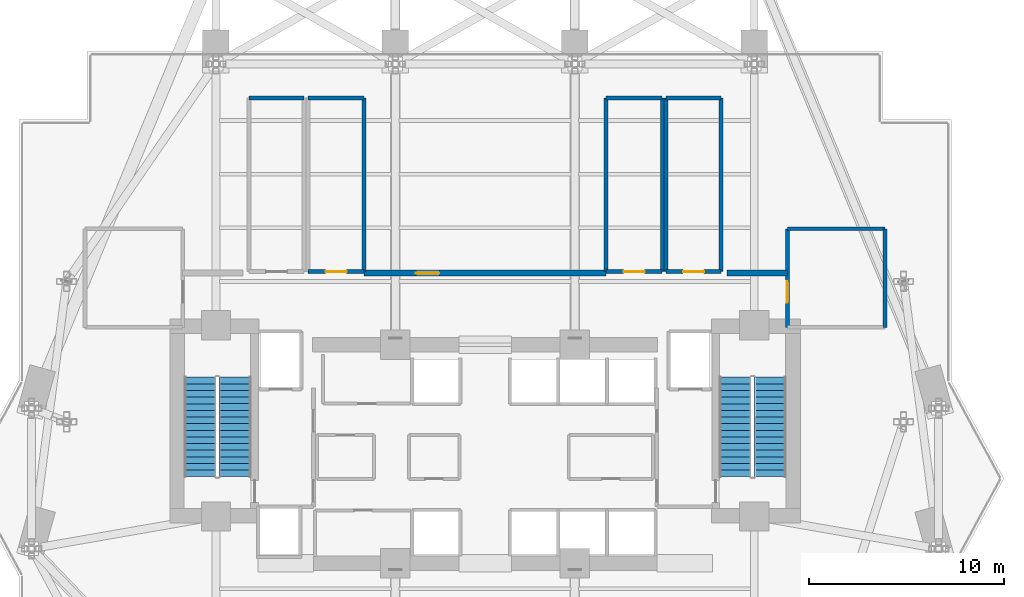
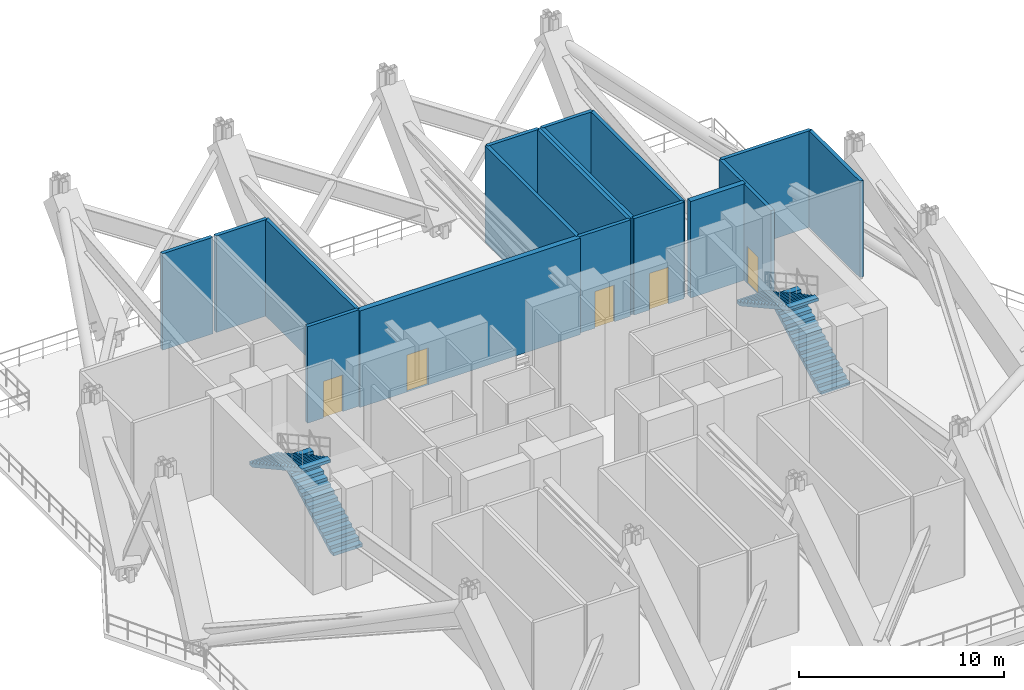
# One storey, part 14 of 18: 17 walls, 5 doors, 4 stair flights, 5 openings, 2 elements without a shape of their own.
"""IFC4 building model written with IfcOpenShell, lengths in metres."""

from ifc_helpers import new_model, si_unit, direction, frame, frame_2d, origin, place, context, subcontext, project, spatial, polyline, rectangle, outline, extrude, material, layer, layer_set, type_object, element, fill, aggregate, save


model = new_model("IFC4")

# Units and contexts
model_context = context("Model", 3, precision=1e-05, world=origin(), true_north=direction((0.0, 1.0)))
body_context = subcontext(model_context, "Body", "Model", "MODEL_VIEW")
ifc_project = project(units=[si_unit("LENGTHUNIT", "METRE"), si_unit("AREAUNIT", "SQUARE_METRE"), si_unit("VOLUMEUNIT", "CUBIC_METRE"), si_unit("PLANEANGLEUNIT", "RADIAN"), si_unit("MASSUNIT", "GRAM", prefix="KILO")], contexts=[model_context])

# Site, building, storey
site_placement = place(None, origin())
site = spatial("IfcSite", under=ifc_project, at=site_placement, CompositionType="ELEMENT")
building_placement = place(site_placement, origin())
building = spatial("IfcBuilding", under=site, at=building_placement, Name="Zuhayl Quay Hotel", CompositionType="ELEMENT")
storey_placement = place(building_placement, frame((0.0, 0.0, 162.199951171875)))
storey = spatial("IfcBuildingStorey", under=building, at=storey_placement, Name="L41", CompositionType="ELEMENT", Elevation=162.199951171875)

# Wall
ifc_material_1 = material(Name="Precast concrete C45/55", Category="concrete")
ifc_layer_1 = layer(ifc_material_1, 0.300048828125, Name="Precast concrete C45/55", Category="concrete")
ifc_layer_set_1 = layer_set([ifc_layer_1], Name="Precast concrete C45/55")
wall_type_1 = type_object("IfcWallType", Name="WL_EXT_300", PredefinedType="STANDARD", material=ifc_layer_set_1)
wall_1_placement = place(storey_placement, frame((12.39990234375, 17.030029296875, 0.0), z_axis=(0.0, 0.0, 1.0), x_axis=(1.0, 0.0, 0.0)))
element("IfcWall", 1, at=wall_1_placement, inside=storey, type_object=wall_type_1, Name="L41 Exterior Precast Wall EW_WIND_NE_L41", PredefinedType="STANDARD", context=body_context, shape_type="SweptSolid", body=[
    extrude(rectangle(XDim=3.10009765625, YDim=0.300048828125, at=frame_2d((1.550048828125, 0.0))), origin(), (0.0, 0.0, 1.0), 5.739990234375),
])

# Wall, opening, door
wall_2_placement = place(storey_placement, frame((-6.199951171875, 17.030029296875, 0.0), z_axis=(0.0, 0.0, 1.0), x_axis=(1.0, 0.0, 0.0)))
wall_2 = element("IfcWall", 2, at=wall_2_placement, inside=storey, type_object=wall_type_1, Name="L41 Exterior Precast Wall EW_WIND_ACC_L41", PredefinedType="STANDARD", context=body_context, shape_type="SweptSolid", body=[
    extrude(rectangle(XDim=12.39990234375, YDim=0.300048828125, at=frame_2d((6.199951171875, 0.0))), origin(), (0.0, 0.0, 1.0), 5.739990234375),
])
opening_1_placement = place(wall_2_placement, frame((2.64990234375, 0.0, 0.0)))
opening_1 = element("IfcOpeningElement", 3, at=opening_1_placement, cuts=wall_2, Name="Opening DE2", PredefinedType="OPENING", context=body_context, shape_type="SweptSolid", body=[
    extrude(rectangle(XDim=1.199951171875, YDim=2.199951171875, at=frame_2d((0.60009765625, 1.10009765625))), frame((0.0, 0.159912109375, 0.0), z_axis=(0.0, -1.0, 0.0), x_axis=(1.0, 0.0, 0.0)), (0.0, 0.0, 1.0), 0.320068359375),
])
ifc_material_2 = material(Name="Steel ASTM A992 Grade 50", Category="steel")
door_type_1 = type_object("IfcDoorType", Name="DR_EXT_EXIT_1200", OperationType="NOTDEFINED", PredefinedType="DOOR", material=ifc_material_2)
door_1_placement = place(opening_1_placement, origin())
door_1 = element("IfcDoor", 4, at=door_1_placement, inside=storey, type_object=door_type_1, Name="L41 Open Wind-Deck Maintenance Door", OperationType="SINGLE_SWING_LEFT", OverallHeight=2.199951171875, OverallWidth=1.199951171875, PredefinedType="DOOR", context=body_context, shape_type="SweptSolid", body=[
    extrude(rectangle(XDim=1.199951171875, YDim=2.199951171875, at=frame_2d((0.60009765625, 1.10009765625))), frame((0.0, 0.02490234375, 0.0), z_axis=(0.0, -1.0, 0.0), x_axis=(1.0, 0.0, 0.0)), (0.0, 0.0, 1.0), 0.050048828125),
])
fill(opening_1, door_1)

ifc_material_3 = material(Name="Gypsum Fireboard Assembly EI-120")
ifc_layer_2 = layer(ifc_material_3, 0.199951171875, Name="Gypsum Fireboard Assembly EI-120")
ifc_layer_set_2 = layer_set([ifc_layer_2], Name="Gypsum Fireboard Assembly EI-120")
wall_type_2 = type_object("IfcWallType", Name="WL_PART_SHAFT_200", PredefinedType="PARTITIONING", material=ifc_layer_set_2)
wall_3_placement = place(storey_placement, frame((15.5, 19.300048828125, 0.0), z_axis=(0.0, 0.0, 1.0), x_axis=(0.0, -1.0, 0.0)))
wall_3 = element("IfcWall", 5, at=wall_3_placement, inside=storey, type_object=wall_type_2, Name="L41 Partition IW_L41_REF_E_W", PredefinedType="PARTITIONING", context=body_context, shape_type="SweptSolid", body=[
    extrude(rectangle(XDim=5.050048828125, YDim=0.199951171875, at=frame_2d((2.52490234375, 0.0))), origin(), (0.0, 0.0, 1.0), 5.739990234375),
])
opening_2_placement = place(wall_3_placement, frame((2.699951171875, 0.0, 0.0)))
opening_2 = element("IfcOpeningElement", 6, at=opening_2_placement, cuts=wall_3, Name="Opening D02", PredefinedType="OPENING", context=body_context, shape_type="SweptSolid", body=[
    extrude(rectangle(XDim=1.10009765625, YDim=2.199951171875, at=frame_2d((0.550048828125, 1.10009765625))), frame((0.0, 0.10986328125, 0.0), z_axis=(0.0, -1.0, 0.0), x_axis=(1.0, 0.0, 0.0)), (0.0, 0.0, 1.0), 0.219970703125),
])
door_type_2 = type_object("IfcDoorType", Name="DR_FIRE_90_1100", OperationType="NOTDEFINED", PredefinedType="DOOR", material=ifc_material_2)
door_2_placement = place(opening_2_placement, origin())
door_2 = element("IfcDoor", 7, at=door_2_placement, inside=storey, type_object=door_type_2, Name="L41 East Refuge Area Door", OperationType="SINGLE_SWING_RIGHT", OverallHeight=2.199951171875, OverallWidth=1.10009765625, PredefinedType="DOOR", context=body_context, shape_type="SweptSolid", body=[
    extrude(rectangle(XDim=1.10009765625, YDim=2.199951171875, at=frame_2d((0.550048828125, 1.10009765625))), frame((0.0, 0.02490234375, 0.0), z_axis=(0.0, -1.0, 0.0), x_axis=(1.0, 0.0, 0.0)), (0.0, 0.0, 1.0), 0.050048828125),
])
fill(opening_2, door_2)

wall_4_placement = place(storey_placement, frame((-9.080078125, 17.10009765625, 0.0), z_axis=(0.0, 0.0, 1.0), x_axis=(1.0, 0.0, 0.0)))
wall_4 = element("IfcWall", 8, at=wall_4_placement, inside=storey, type_object=wall_type_2, Name="L41 Partition IW_L41_MEP_HEX2_S", PredefinedType="PARTITIONING", context=body_context, shape_type="SweptSolid", body=[
    extrude(rectangle(XDim=2.880126953125, YDim=0.199951171875, at=frame_2d((1.43994140625, 0.0))), origin(), (0.0, 0.0, 1.0), 5.739990234375),
])
opening_3_placement = place(wall_4_placement, frame((0.89990234375, 0.0, 0.0)))
opening_3 = element("IfcOpeningElement", 9, at=opening_3_placement, cuts=wall_4, Name="Opening D05A", PredefinedType="OPENING", context=body_context, shape_type="SweptSolid", body=[
    extrude(rectangle(XDim=1.080078125, YDim=2.179931640625, at=frame_2d((0.5400390625, 1.08984375))), frame((0.0, 0.10986328125, 0.0), z_axis=(0.0, -1.0, 0.0), x_axis=(1.0, 0.0, 0.0)), (0.0, 0.0, 1.0), 0.219970703125),
])
ifc_material_4 = material(Name="Solid Walnut Acoustic Fire Door")
door_type_3 = type_object("IfcDoorType", Name="DR_INT_1100", OperationType="NOTDEFINED", PredefinedType="DOOR", material=ifc_material_4)
door_3_placement = place(opening_3_placement, origin())
door_3 = element("IfcDoor", 10, at=door_3_placement, inside=storey, type_object=door_type_3, Name="L41 Chiller Plant Room 2 Door", OperationType="SINGLE_SWING_RIGHT", OverallHeight=2.179931640625, OverallWidth=1.080078125, PredefinedType="DOOR", context=body_context, shape_type="SweptSolid", body=[
    extrude(rectangle(XDim=1.080078125, YDim=2.179931640625, at=frame_2d((0.5400390625, 1.08984375))), frame((0.0, 0.02490234375, 0.0), z_axis=(0.0, -1.0, 0.0), x_axis=(1.0, 0.0, 0.0)), (0.0, 0.0, 1.0), 0.050048828125),
])
fill(opening_3, door_3)

wall_5_placement = place(storey_placement, frame((6.199951171875, 17.10009765625, 0.0), z_axis=(0.0, 0.0, 1.0), x_axis=(1.0, 0.0, 0.0)))
wall_5 = element("IfcWall", 11, at=wall_5_placement, inside=storey, type_object=wall_type_2, Name="L41 Partition IW_L41_MEP_AHU1_S", PredefinedType="PARTITIONING", context=body_context, shape_type="SweptSolid", body=[
    extrude(rectangle(XDim=2.880126953125, YDim=0.199951171875, at=frame_2d((1.43994140625, 0.0))), origin(), (0.0, 0.0, 1.0), 5.739990234375),
])
opening_4_placement = place(wall_5_placement, frame((0.89990234375, 0.0, 0.0)))
opening_4 = element("IfcOpeningElement", 12, at=opening_4_placement, cuts=wall_5, Name="Opening D05A", PredefinedType="OPENING", context=body_context, shape_type="SweptSolid", body=[
    extrude(rectangle(XDim=1.080078125, YDim=2.179931640625, at=frame_2d((0.5400390625, 1.08984375))), frame((0.0, 0.10986328125, 0.0), z_axis=(0.0, -1.0, 0.0), x_axis=(1.0, 0.0, 0.0)), (0.0, 0.0, 1.0), 0.219970703125),
])
door_4_placement = place(opening_4_placement, origin())
door_4 = element("IfcDoor", 13, at=door_4_placement, inside=storey, type_object=door_type_3, Name="L41 Primary AHU Plant Room 1 Door", OperationType="SINGLE_SWING_LEFT", OverallHeight=2.179931640625, OverallWidth=1.080078125, PredefinedType="DOOR", context=body_context, shape_type="SweptSolid", body=[
    extrude(rectangle(XDim=1.080078125, YDim=2.179931640625, at=frame_2d((0.5400390625, 1.08984375))), frame((0.0, 0.02490234375, 0.0), z_axis=(0.0, -1.0, 0.0), x_axis=(1.0, 0.0, 0.0)), (0.0, 0.0, 1.0), 0.050048828125),
])
fill(opening_4, door_4)

wall_6_placement = place(storey_placement, frame((9.280029296875, 17.10009765625, 0.0), z_axis=(0.0, 0.0, 1.0), x_axis=(1.0, 0.0, 0.0)))
wall_6 = element("IfcWall", 14, at=wall_6_placement, inside=storey, type_object=wall_type_2, Name="L41 Partition IW_L41_MEP_AHU2_S", PredefinedType="PARTITIONING", context=body_context, shape_type="SweptSolid", body=[
    extrude(rectangle(XDim=2.820068359375, YDim=0.199951171875, at=frame_2d((1.41015625, 0.0))), origin(), (0.0, 0.0, 1.0), 5.739990234375),
])
opening_5_placement = place(wall_6_placement, frame((0.8701171875, 0.0, 0.0)))
opening_5 = element("IfcOpeningElement", 15, at=opening_5_placement, cuts=wall_6, Name="Opening D05A", PredefinedType="OPENING", context=body_context, shape_type="SweptSolid", body=[
    extrude(rectangle(XDim=1.080078125, YDim=2.179931640625, at=frame_2d((0.5400390625, 1.08984375))), frame((0.0, 0.10986328125, 0.0), z_axis=(0.0, -1.0, 0.0), x_axis=(1.0, 0.0, 0.0)), (0.0, 0.0, 1.0), 0.219970703125),
])
door_5_placement = place(opening_5_placement, origin())
door_5 = element("IfcDoor", 16, at=door_5_placement, inside=storey, type_object=door_type_3, Name="L41 Primary AHU Plant Room 2 Door", OperationType="SINGLE_SWING_RIGHT", OverallHeight=2.179931640625, OverallWidth=1.080078125, PredefinedType="DOOR", context=body_context, shape_type="SweptSolid", body=[
    extrude(rectangle(XDim=1.080078125, YDim=2.179931640625, at=frame_2d((0.5400390625, 1.08984375))), frame((0.0, 0.02490234375, 0.0), z_axis=(0.0, -1.0, 0.0), x_axis=(1.0, 0.0, 0.0)), (0.0, 0.0, 1.0), 0.050048828125),
])
fill(opening_5, door_5)

# Walls
wall_7_placement = place(storey_placement, frame((20.5, 14.25, 0.0), z_axis=(0.0, 0.0, 1.0), x_axis=(0.0, 1.0, 0.0)))
element("IfcWall", 17, at=wall_7_placement, inside=storey, type_object=wall_type_2, Name="L41 Partition IW_L41_REF_E_E", PredefinedType="PARTITIONING", context=body_context, shape_type="SweptSolid", body=[
    extrude(rectangle(XDim=5.050048828125, YDim=0.199951171875, at=frame_2d((2.52490234375, 0.0))), origin(), (0.0, 0.0, 1.0), 5.739990234375),
])
wall_8_placement = place(storey_placement, frame((15.5, 19.300048828125, 0.0), z_axis=(0.0, 0.0, 1.0), x_axis=(1.0, 0.0, 0.0)))
element("IfcWall", 18, at=wall_8_placement, inside=storey, type_object=wall_type_2, Name="L41 Partition IW_L41_REF_E_N", PredefinedType="PARTITIONING", context=body_context, shape_type="SweptSolid", body=[
    extrude(rectangle(XDim=5.0, YDim=0.199951171875, at=frame_2d((2.5, 0.0))), origin(), (0.0, 0.0, 1.0), 5.739990234375),
])
wall_9_placement = place(storey_placement, frame((-12.10009765625, 26.0, 0.0), z_axis=(0.0, 0.0, 1.0), x_axis=(1.0, 0.0, 0.0)))
element("IfcWall", 19, at=wall_9_placement, inside=storey, type_object=wall_type_2, Name="L41 Partition IW_L41_MEP_HEX1_N", PredefinedType="PARTITIONING", context=body_context, shape_type="SweptSolid", body=[
    extrude(rectangle(XDim=2.820068359375, YDim=0.199951171875, at=frame_2d((1.41015625, 0.0))), origin(), (0.0, 0.0, 1.0), 5.739990234375),
])
wall_10_placement = place(storey_placement, frame((-9.080078125, 26.0, 0.0), z_axis=(0.0, 0.0, 1.0), x_axis=(1.0, 0.0, 0.0)))
element("IfcWall", 20, at=wall_10_placement, inside=storey, type_object=wall_type_2, Name="L41 Partition IW_L41_MEP_HEX2_N", PredefinedType="PARTITIONING", context=body_context, shape_type="SweptSolid", body=[
    extrude(rectangle(XDim=2.880126953125, YDim=0.199951171875, at=frame_2d((1.43994140625, 0.0))), origin(), (0.0, 0.0, 1.0), 5.739990234375),
])
wall_11_placement = place(storey_placement, frame((-6.199951171875, 17.10009765625, 0.0), z_axis=(0.0, 0.0, 1.0), x_axis=(0.0, 1.0, 0.0)))
element("IfcWall", 21, at=wall_11_placement, inside=storey, type_object=wall_type_2, Name="L41 Partition IW_L41_MEP_HEX2_E", PredefinedType="PARTITIONING", context=body_context, shape_type="SweptSolid", body=[
    extrude(rectangle(XDim=8.89990234375, YDim=0.199951171875, at=frame_2d((4.449951171875, 0.0))), origin(), (0.0, 0.0, 1.0), 5.739990234375),
])
wall_12_placement = place(storey_placement, frame((6.199951171875, 26.0, 0.0), z_axis=(0.0, 0.0, 1.0), x_axis=(1.0, 0.0, 0.0)))
element("IfcWall", 22, at=wall_12_placement, inside=storey, type_object=wall_type_2, Name="L41 Partition IW_L41_MEP_AHU1_N", PredefinedType="PARTITIONING", context=body_context, shape_type="SweptSolid", body=[
    extrude(rectangle(XDim=2.880126953125, YDim=0.199951171875, at=frame_2d((1.43994140625, 0.0))), origin(), (0.0, 0.0, 1.0), 5.739990234375),
])
for number, where, z_axis, x_axis, name in (
    (23, (6.199951171875, 17.10009765625, 0.0), (0.0, 0.0, 1.0), (0.0, 1.0, 0.0), "L41 Partition IW_L41_MEP_AHU1_W"),
    (24, (9.080078125, 17.10009765625, 0.0), (0.0, 0.0, 1.0), (0.0, 1.0, 0.0), "L41 Partition IW_L41_MEP_AHU1_E"),
):
    element("IfcWall", number, at=place(storey_placement, frame(where, z_axis=z_axis, x_axis=x_axis)), inside=storey, type_object=wall_type_2, Name=name, PredefinedType="PARTITIONING", context=body_context, shape_type="SweptSolid", body=[
        extrude(rectangle(XDim=8.89990234375, YDim=0.199951171875, at=frame_2d((4.449951171875, 0.0))), origin(), (0.0, 0.0, 1.0), 5.739990234375),
    ])
wall_13_placement = place(storey_placement, frame((9.280029296875, 26.0, 0.0), z_axis=(0.0, 0.0, 1.0), x_axis=(1.0, 0.0, 0.0)))
element("IfcWall", 25, at=wall_13_placement, inside=storey, type_object=wall_type_2, Name="L41 Partition IW_L41_MEP_AHU2_N", PredefinedType="PARTITIONING", context=body_context, shape_type="SweptSolid", body=[
    extrude(rectangle(XDim=2.820068359375, YDim=0.199951171875, at=frame_2d((1.41015625, 0.0))), origin(), (0.0, 0.0, 1.0), 5.739990234375),
])
for number, where, z_axis, x_axis, name in (
    (26, (9.280029296875, 17.10009765625, 0.0), (0.0, 0.0, 1.0), (0.0, 1.0, 0.0), "L41 Partition IW_L41_MEP_AHU2_W"),
    (27, (12.10009765625, 17.10009765625, 0.0), (0.0, 0.0, 1.0), (0.0, 1.0, 0.0), "L41 Partition IW_L41_MEP_AHU2_E"),
):
    element("IfcWall", number, at=place(storey_placement, frame(where, z_axis=z_axis, x_axis=x_axis)), inside=storey, type_object=wall_type_2, Name=name, PredefinedType="PARTITIONING", context=body_context, shape_type="SweptSolid", body=[
        extrude(rectangle(XDim=8.89990234375, YDim=0.199951171875, at=frame_2d((4.449951171875, 0.0))), origin(), (0.0, 0.0, 1.0), 5.739990234375),
    ])

# Stair, stair flights
ifc_material_5 = material(Name="Concrete C45/55", Category="concrete")
stair_type = type_object("IfcStairType", Name="ST_DOGLEG_TOWER", PredefinedType="HALF_TURN_STAIR", material=ifc_material_5)
stair_1_placement = place(storey_placement, origin())
stair_1 = element("IfcStair", 28, at=stair_1_placement, inside=storey, type_object=stair_type, Name="L41 Smokeproof Exit Stair ST1", PredefinedType="HALF_TURN_STAIR")
ifc_layer_3 = layer(ifc_material_5, 0.159912109375, Name="Concrete C45/55", Category="concrete")
ifc_layer_set_3 = layer_set([ifc_layer_3], Name="Concrete C45/55")
stair_flight_type = type_object("IfcStairFlightType", Name="SF_CONC_164", PredefinedType="STRAIGHT", material=ifc_layer_set_3)
stair_flight_1_placement = place(storey_placement, frame((-12.820068359375, 6.590087890625, 0.0), z_axis=(0.0, 0.0, 1.0), x_axis=(0.0, 1.0, 0.0)))
stair_flight_1 = element("IfcStairFlight", 29, at=stair_flight_1_placement, type_object=stair_flight_type, Name="ST1 flight 1", NumberOfRisers=16, NumberOfTreads=15, PredefinedType="STRAIGHT", RiserHeight=0.1875, TreadLength=0.34, context=body_context, shape_type="SweptSolid", body=[
    extrude(outline(polyline([(0.0, 0.0), (0.0, 0.1875), (0.340087890625, 0.1875), (0.340087890625, 0.375), (0.679931640625, 0.375), (0.679931640625, 0.5625), (1.02001953125, 0.5625), (1.02001953125, 0.75), (1.360107421875, 0.75), (1.360107421875, 0.9375), (1.699951171875, 0.9375), (1.699951171875, 1.125), (2.0400390625, 1.125), (2.0400390625, 1.3125), (2.3798828125, 1.3125), (2.3798828125, 1.5), (2.719970703125, 1.5), (2.719970703125, 1.6875), (3.06005859375, 1.6875), (3.06005859375, 1.875), (3.39990234375, 1.875), (3.39990234375, 2.0625), (3.739990234375, 2.0625), (3.739990234375, 2.25), (4.080078125, 2.25), (4.080078125, 2.4375), (4.419921875, 2.4375), (4.419921875, 2.625), (4.760009765625, 2.625), (4.760009765625, 2.8125), (5.10009765625, 2.8125), (5.10009765625, 3.0), (5.10009765625, 2.641357421875), (0.310302734375, 0.0), (0.0, 0.0)])), frame((0.0, 0.81982421875, 0.0), z_axis=(0.0, -1.0, 0.0), x_axis=(1.0, 0.0, 0.0)), (0.0, 0.0, 1.0), 1.639892578125),
])
stair_flight_2_placement = place(storey_placement, frame((-14.610107421875, 11.68994140625, 3.0), z_axis=(0.0, 0.0, 1.0), x_axis=(0.0, -1.0, 0.0)))
stair_flight_2 = element("IfcStairFlight", 30, at=stair_flight_2_placement, type_object=stair_flight_type, Name="ST1 flight 2", NumberOfRisers=16, NumberOfTreads=15, PredefinedType="STRAIGHT", RiserHeight=0.1875, TreadLength=0.34, context=body_context, shape_type="SweptSolid", body=[
    extrude(outline(polyline([(0.0, 0.0), (0.0, 0.1875), (0.340087890625, 0.1875), (0.340087890625, 0.375), (0.679931640625, 0.375), (0.679931640625, 0.5625), (1.02001953125, 0.5625), (1.02001953125, 0.75), (1.360107421875, 0.75), (1.360107421875, 0.9375), (1.699951171875, 0.9375), (1.699951171875, 1.125), (2.0400390625, 1.125), (2.0400390625, 1.3125), (2.3798828125, 1.3125), (2.3798828125, 1.5), (2.719970703125, 1.5), (2.719970703125, 1.6875), (3.06005859375, 1.6875), (3.06005859375, 1.875), (3.39990234375, 1.875), (3.39990234375, 2.0625), (3.739990234375, 2.0625), (3.739990234375, 2.25), (4.080078125, 2.25), (4.080078125, 2.4375), (4.419921875, 2.4375), (4.419921875, 2.625), (4.760009765625, 2.625), (4.760009765625, 2.8125), (5.10009765625, 2.8125), (5.10009765625, 3.0), (5.10009765625, 2.641357421875), (0.310302734375, 0.0), (0.0, 0.0)])), frame((0.0, 0.81982421875, 0.0), z_axis=(0.0, -1.0, 0.0), x_axis=(1.0, 0.0, 0.0)), (0.0, 0.0, 1.0), 1.639892578125),
])
aggregate(stair_1, [stair_flight_1, stair_flight_2])

stair_2_placement = place(storey_placement, origin())
stair_2 = element("IfcStair", 31, at=stair_2_placement, inside=storey, type_object=stair_type, Name="L41 Smokeproof Exit Stair ST2", PredefinedType="HALF_TURN_STAIR")
stair_flight_3_placement = place(storey_placement, frame((14.610107421875, 6.590087890625, 0.0), z_axis=(0.0, 0.0, 1.0), x_axis=(0.0, 1.0, 0.0)))
stair_flight_3 = element("IfcStairFlight", 32, at=stair_flight_3_placement, type_object=stair_flight_type, Name="ST2 flight 1", NumberOfRisers=16, NumberOfTreads=15, PredefinedType="STRAIGHT", RiserHeight=0.1875, TreadLength=0.34, context=body_context, shape_type="SweptSolid", body=[
    extrude(outline(polyline([(0.0, 0.0), (0.0, 0.1875), (0.340087890625, 0.1875), (0.340087890625, 0.375), (0.679931640625, 0.375), (0.679931640625, 0.5625), (1.02001953125, 0.5625), (1.02001953125, 0.75), (1.360107421875, 0.75), (1.360107421875, 0.9375), (1.699951171875, 0.9375), (1.699951171875, 1.125), (2.0400390625, 1.125), (2.0400390625, 1.3125), (2.3798828125, 1.3125), (2.3798828125, 1.5), (2.719970703125, 1.5), (2.719970703125, 1.6875), (3.06005859375, 1.6875), (3.06005859375, 1.875), (3.39990234375, 1.875), (3.39990234375, 2.0625), (3.739990234375, 2.0625), (3.739990234375, 2.25), (4.080078125, 2.25), (4.080078125, 2.4375), (4.419921875, 2.4375), (4.419921875, 2.625), (4.760009765625, 2.625), (4.760009765625, 2.8125), (5.10009765625, 2.8125), (5.10009765625, 3.0), (5.10009765625, 2.641357421875), (0.310302734375, 0.0), (0.0, 0.0)])), frame((0.0, 0.81982421875, 0.0), z_axis=(0.0, -1.0, 0.0), x_axis=(1.0, 0.0, 0.0)), (0.0, 0.0, 1.0), 1.639892578125),
])
stair_flight_4_placement = place(storey_placement, frame((12.820068359375, 11.68994140625, 3.0), z_axis=(0.0, 0.0, 1.0), x_axis=(0.0, -1.0, 0.0)))
stair_flight_4 = element("IfcStairFlight", 33, at=stair_flight_4_placement, type_object=stair_flight_type, Name="ST2 flight 2", NumberOfRisers=16, NumberOfTreads=15, PredefinedType="STRAIGHT", RiserHeight=0.1875, TreadLength=0.34, context=body_context, shape_type="SweptSolid", body=[
    extrude(outline(polyline([(0.0, 0.0), (0.0, 0.1875), (0.340087890625, 0.1875), (0.340087890625, 0.375), (0.679931640625, 0.375), (0.679931640625, 0.5625), (1.02001953125, 0.5625), (1.02001953125, 0.75), (1.360107421875, 0.75), (1.360107421875, 0.9375), (1.699951171875, 0.9375), (1.699951171875, 1.125), (2.0400390625, 1.125), (2.0400390625, 1.3125), (2.3798828125, 1.3125), (2.3798828125, 1.5), (2.719970703125, 1.5), (2.719970703125, 1.6875), (3.06005859375, 1.6875), (3.06005859375, 1.875), (3.39990234375, 1.875), (3.39990234375, 2.0625), (3.739990234375, 2.0625), (3.739990234375, 2.25), (4.080078125, 2.25), (4.080078125, 2.4375), (4.419921875, 2.4375), (4.419921875, 2.625), (4.760009765625, 2.625), (4.760009765625, 2.8125), (5.10009765625, 2.8125), (5.10009765625, 3.0), (5.10009765625, 2.641357421875), (0.310302734375, 0.0), (0.0, 0.0)])), frame((0.0, 0.81982421875, 0.0), z_axis=(0.0, -1.0, 0.0), x_axis=(1.0, 0.0, 0.0)), (0.0, 0.0, 1.0), 1.639892578125),
])
aggregate(stair_2, [stair_flight_3, stair_flight_4])

save(model, "model.ifc")
